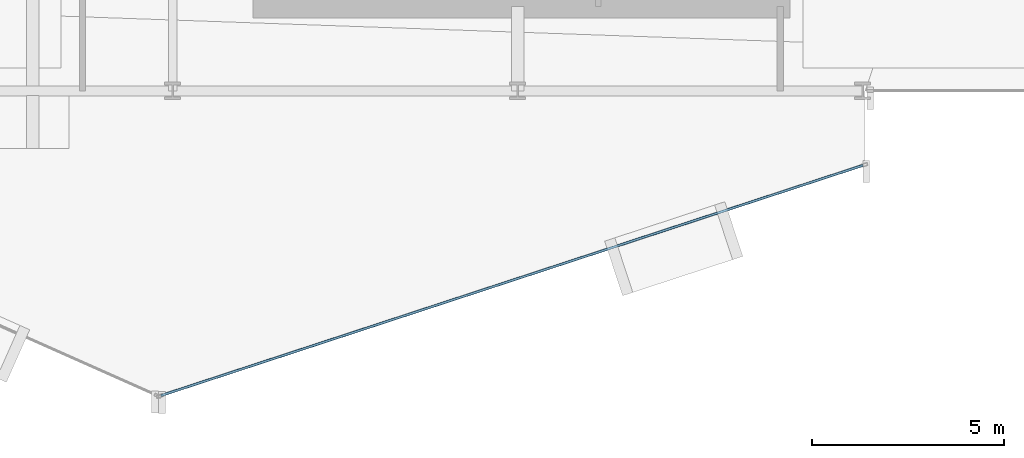
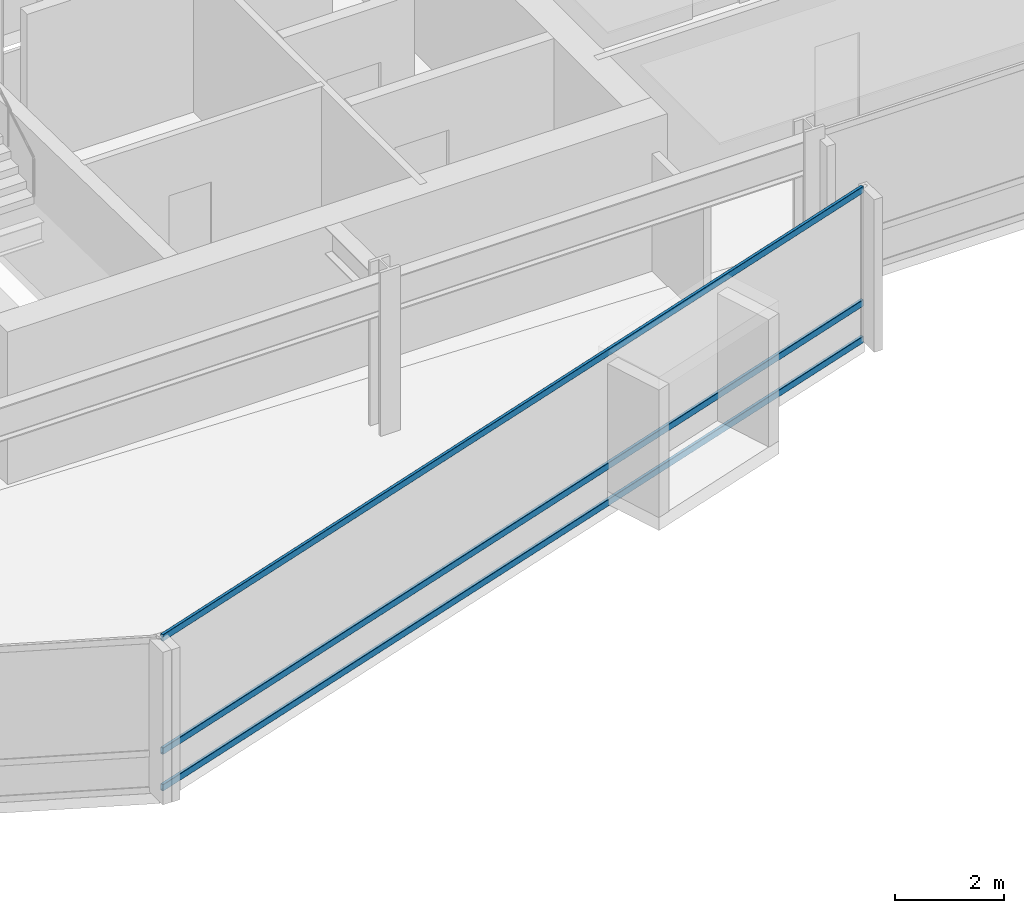
# One storey, part 9 of 29: 3 members, 1 element without a shape of its own.
"""IFC4 building model written with IfcOpenShell, lengths in metres."""

from ifc_helpers import new_model, si_unit, direction, frame, origin, origin_2d, place, context, subcontext, project, spatial, hollow_rectangle, extrude, material, layer, layer_set, material_profile, profile_set, type_object, element, aggregate, save


model = new_model("IFC4")

# Units and contexts
model_context = context("Model", 3, precision=1e-05, world=origin(), true_north=direction((0.0, 1.0)))
body_context = subcontext(model_context, "Body", "Model", "MODEL_VIEW")
ifc_project = project(units=[si_unit("LENGTHUNIT", "METRE"), si_unit("AREAUNIT", "SQUARE_METRE"), si_unit("VOLUMEUNIT", "CUBIC_METRE"), si_unit("PLANEANGLEUNIT", "RADIAN"), si_unit("MASSUNIT", "GRAM", prefix="KILO")], contexts=[model_context])

# Site, building, storey
site_placement = place(None, origin())
site = spatial("IfcSite", under=ifc_project, at=site_placement, CompositionType="ELEMENT")
building_placement = place(site_placement, origin())
building = spatial("IfcBuilding", under=site, at=building_placement, Name="Solvaryn Broadcast Tower", CompositionType="ELEMENT")
storey_placement = place(building_placement, frame((0.0, 0.0, 117.39990234375)))
storey = spatial("IfcBuildingStorey", under=building, at=storey_placement, Name="L28", CompositionType="ELEMENT", Elevation=117.39990234375)

# Curtain wall, members
ifc_material_1 = material(Name="Aluminium and Terracotta Unitised Curtain Wall", Category="masonry")
ifc_layer = layer(ifc_material_1, 0.199951171875)
ifc_layer_set = layer_set([ifc_layer], Name="CW-SYS2-LOWMID")
curtain_wall_type = type_object("IfcCurtainWallType", Name="CW-SYS2-LOWMID", PredefinedType="NOTDEFINED", material=ifc_layer_set)
curtain_wall_placement = place(storey_placement, origin())
curtain_wall = element("IfcCurtainWall", 1, at=curtain_wall_placement, inside=storey, type_object=curtain_wall_type, Name="L28 Curtain Wall DR4", PredefinedType="NOTDEFINED")
ifc_material_2 = material(Name="Anodised Aluminium 6063-T6", Category="aluminium")
ifc_material_profile = material_profile(ifc_material_2, hollow_rectangle(XDim=0.06494140625, YDim=0.14990234375, WallThickness=0.00390625, InnerFilletRadius=0.00390625, OuterFilletRadius=0.008056640625, at=origin_2d()))
ifc_profile_set = profile_set([ifc_material_profile], Name="Anodised Aluminium 6063-T6")
member_type = type_object("IfcMemberType", Name="CW-TRN-150", PredefinedType="USERDEFINED", material=ifc_profile_set)
member_1_placement = place(storey_placement, frame((26.693115234375, 1.052734375, 0.030029296875), z_axis=(0.950198373323, 0.31164571445, 0.0), x_axis=(-0.31164571445, 0.950198373323, 0.0)))
member_1 = element("IfcMember", 2, at=member_1_placement, type_object=member_type, Name="CWS2 transom 1.1", ObjectType="TRANSOM", PredefinedType="USERDEFINED", context=body_context, shape_type="SweptSolid", body=[
    extrude(hollow_rectangle(XDim=0.06494140625, YDim=0.14990234375, WallThickness=0.00390625, InnerFilletRadius=0.00390625, OuterFilletRadius=0.008056640625, at=origin_2d()), origin(), (0.0, 0.0, 1.0), 19.27685546875),
])
member_2_placement = place(storey_placement, frame((26.693115234375, 1.052734375, 0.85009765625), z_axis=(0.950198373323, 0.31164571445, 0.0), x_axis=(-0.31164571445, 0.950198373323, 0.0)))
member_2 = element("IfcMember", 3, at=member_2_placement, type_object=member_type, Name="CWS2 transom 1.2", ObjectType="TRANSOM", PredefinedType="USERDEFINED", context=body_context, shape_type="SweptSolid", body=[
    extrude(hollow_rectangle(XDim=0.06494140625, YDim=0.14990234375, WallThickness=0.00390625, InnerFilletRadius=0.00390625, OuterFilletRadius=0.008056640625, at=origin_2d()), origin(), (0.0, 0.0, 1.0), 19.27685546875),
])
member_3_placement = place(storey_placement, frame((26.693115234375, 1.052734375, 3.39013671875), z_axis=(0.950198373323, 0.31164571445, 0.0), x_axis=(-0.31164571445, 0.950198373323, 0.0)))
member_3 = element("IfcMember", 4, at=member_3_placement, type_object=member_type, Name="CWS2 transom 1.3", ObjectType="TRANSOM", PredefinedType="USERDEFINED", context=body_context, shape_type="SweptSolid", body=[
    extrude(hollow_rectangle(XDim=0.06494140625, YDim=0.14990234375, WallThickness=0.00390625, InnerFilletRadius=0.00390625, OuterFilletRadius=0.008056640625, at=origin_2d()), origin(), (0.0, 0.0, 1.0), 19.27685546875),
])
aggregate(curtain_wall, [member_1, member_2, member_3])

save(model, "model.ifc")
